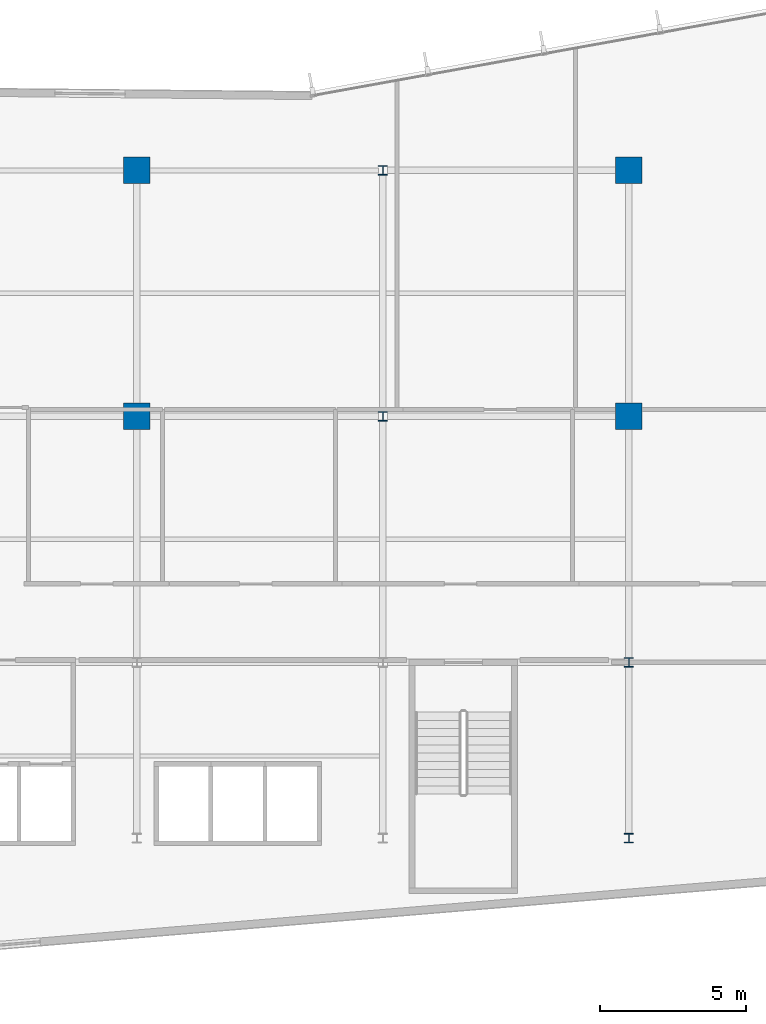
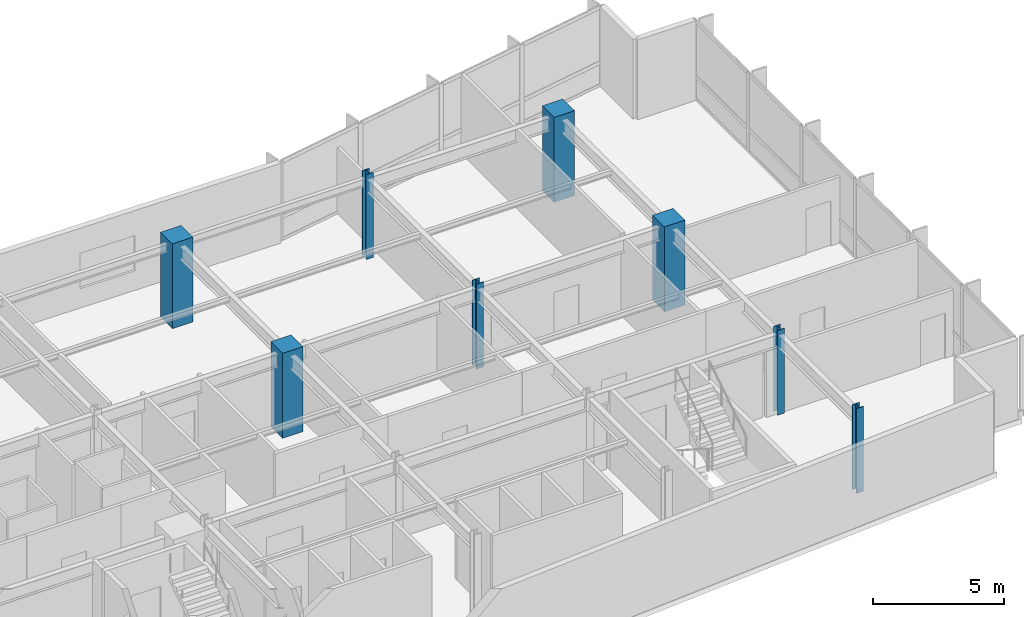
# One storey, part 2 of 21: 8 columns.
"""IFC4 building model written with IfcOpenShell, lengths in metres."""

from ifc_helpers import new_model, si_unit, direction, frame, origin, origin_2d, place, context, subcontext, project, spatial, rectangle, i_section, extrude, material, material_profile, profile_set, type_object, element, save


model = new_model("IFC4")

# Units and contexts
model_context = context("Model", 3, precision=1e-05, world=origin(), true_north=direction((0.0, 1.0)))
body_context = subcontext(model_context, "Body", "Model", "MODEL_VIEW")
ifc_project = project(units=[si_unit("LENGTHUNIT", "METRE"), si_unit("AREAUNIT", "SQUARE_METRE"), si_unit("VOLUMEUNIT", "CUBIC_METRE"), si_unit("PLANEANGLEUNIT", "RADIAN"), si_unit("MASSUNIT", "GRAM", prefix="KILO")], contexts=[model_context])

# Site, building, storey
site_placement = place(None, origin())
site = spatial("IfcSite", under=ifc_project, at=site_placement, CompositionType="ELEMENT")
building_placement = place(site_placement, origin())
building = spatial("IfcBuilding", under=site, at=building_placement, Name="Varnakote Quay Hospital", CompositionType="ELEMENT")
storey_placement = place(building_placement, frame((0.0, 0.0, 77.800048828125)))
storey = spatial("IfcBuildingStorey", under=building, at=storey_placement, Name="L19", CompositionType="ELEMENT", Elevation=77.800048828125)

# Columns
ifc_material_1 = material(Name="Concrete N50 (f'c 50 MPa)", Category="concrete")
ifc_material_profile_1 = material_profile(ifc_material_1, rectangle(XDim=0.89990234375, YDim=0.89990234375, at=origin_2d()), Name="RC-COL-900x900")
ifc_profile_set_1 = profile_set([ifc_material_profile_1], Name="Concrete N50 (f'c 50 MPa)")
column_type_1 = type_object("IfcColumnType", Name="COL-RC-900", PredefinedType="COLUMN", material=ifc_profile_set_1)
for number, where, z_axis, x_axis, name in (
    (1, (33.60009765625, 20.39990234375, 0.0), (0.0, 0.0, 1.0), (1.0, 0.0, 0.0), "L19 Structural Column C-34-20"),
    (2, (50.39990234375, 20.39990234375, 0.0), (0.0, 0.0, 1.0), (1.0, 0.0, 0.0), "L19 Structural Column C-50-20"),
    (3, (33.60009765625, 28.800048828125, 0.0), (0.0, 0.0, 1.0), (1.0, 0.0, 0.0), "L19 Structural Column C-34-29"),
    (4, (50.39990234375, 28.800048828125, 0.0), (0.0, 0.0, 1.0), (1.0, 0.0, 0.0), "L19 Structural Column C-50-29"),
):
    element("IfcColumn", number, at=place(storey_placement, frame(where, z_axis=z_axis, x_axis=x_axis)), inside=storey, type_object=column_type_1, Name=name, PredefinedType="COLUMN", context=body_context, shape_type="SweptSolid", body=[
        extrude(rectangle(XDim=0.89990234375, YDim=0.89990234375, at=origin_2d()), origin(), (0.0, 0.0, 1.0), 3.949951171875),
    ])
ifc_material_2 = material(Name="Structural steel AS/NZS 3679.1 Grade 350 L0 (fy 340 MPa)", Category="steel")
ifc_material_profile_2 = material_profile(ifc_material_2, i_section(OverallWidth=0.31103515625, OverallDepth=0.326904296875, WebThickness=0.015625, FlangeThickness=0.02490234375, FilletRadius=0.0166015625, at=origin_2d()), Name="310UC158")
ifc_profile_set_2 = profile_set([ifc_material_profile_2], Name="Structural steel AS/NZS 3679.1 Grade 350 L0 (fy 340 MPa)")
column_type_2 = type_object("IfcColumnType", Name="COL-STL-310UC158", PredefinedType="COLUMN", material=ifc_profile_set_2)
for number, where, z_axis, x_axis, name in (
    (5, (50.39990234375, 6.0, 0.0), (0.0, 0.0, 1.0), (1.0, 0.0, 0.0), "L19 Structural Column C-50-6"),
    (6, (50.39990234375, 12.0, 0.0), (0.0, 0.0, 1.0), (1.0, 0.0, 0.0), "L19 Structural Column C-50-12"),
    (7, (42.0, 20.39990234375, 0.0), (0.0, 0.0, 1.0), (1.0, 0.0, 0.0), "L19 Structural Column C-42-20"),
    (8, (42.0, 28.800048828125, 0.0), (0.0, 0.0, 1.0), (1.0, 0.0, 0.0), "L19 Structural Column C-42-29"),
):
    element("IfcColumn", number, at=place(storey_placement, frame(where, z_axis=z_axis, x_axis=x_axis)), inside=storey, type_object=column_type_2, Name=name, PredefinedType="COLUMN", context=body_context, shape_type="SweptSolid", body=[
        extrude(i_section(OverallWidth=0.31103515625, OverallDepth=0.326904296875, WebThickness=0.015625, FlangeThickness=0.02490234375, FilletRadius=0.0166015625, at=origin_2d()), origin(), (0.0, 0.0, 1.0), 3.949951171875),
    ])

save(model, "model.ifc")
